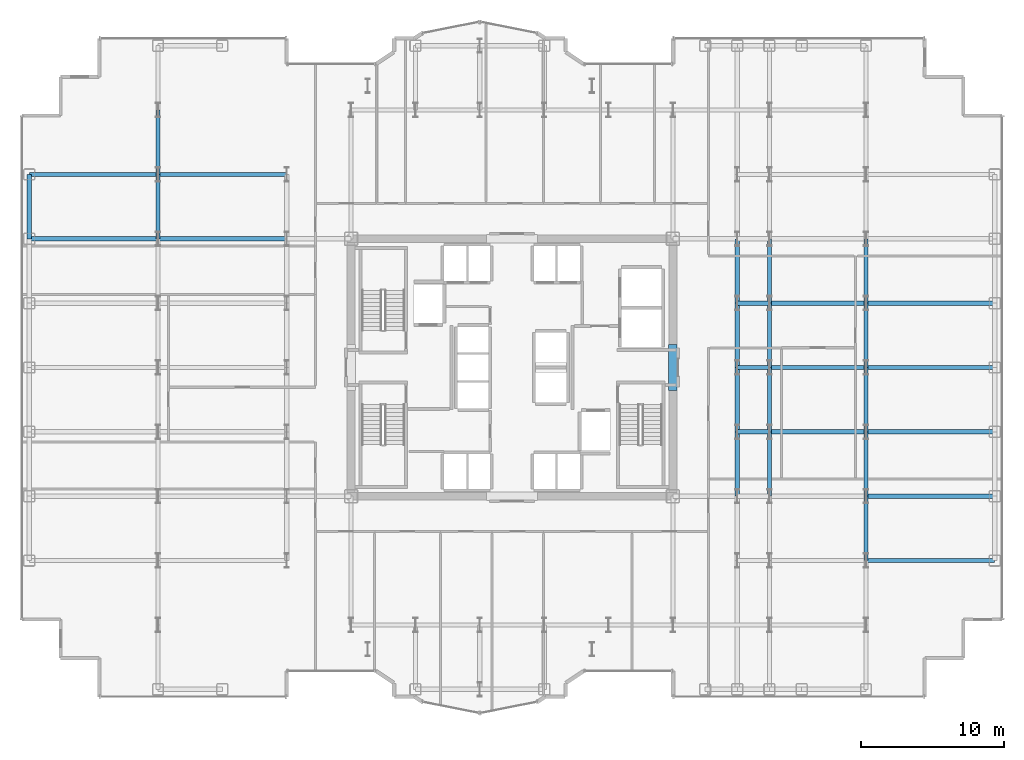
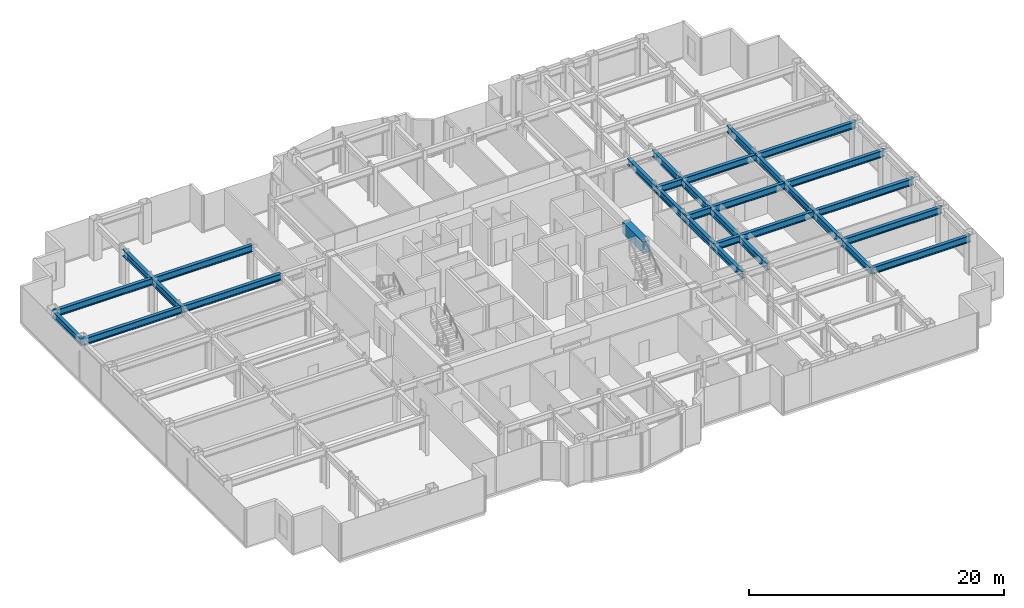
# One storey, part 8 of 26: 32 beams.
"""IFC4 building model written with IfcOpenShell, lengths in metres."""

from ifc_helpers import new_model, si_unit, direction, frame, origin, origin_2d, place, context, subcontext, project, spatial, rectangle, i_section, extrude, source, transform, mapped, material, material_profile, profile_set, type_object, element, save


model = new_model("IFC4")

# Units and contexts
model_context = context("Model", 3, precision=1e-05, world=origin(), true_north=direction((0.0, 1.0)))
body_context = subcontext(model_context, "Body", "Model", "MODEL_VIEW")
ifc_project = project(units=[si_unit("LENGTHUNIT", "METRE"), si_unit("AREAUNIT", "SQUARE_METRE"), si_unit("VOLUMEUNIT", "CUBIC_METRE"), si_unit("PLANEANGLEUNIT", "RADIAN"), si_unit("MASSUNIT", "GRAM", prefix="KILO")], contexts=[model_context])

# Site, building, storey
site_placement = place(None, origin())
site = spatial("IfcSite", under=ifc_project, at=site_placement, CompositionType="ELEMENT")
building_placement = place(site_placement, origin())
building = spatial("IfcBuilding", under=site, at=building_placement, Name="Nefas-Gora Pilgrimage Tower", CompositionType="ELEMENT")
storey_placement = place(building_placement, frame((0.0, 0.0, 117.39990234375)))
storey = spatial("IfcBuildingStorey", under=building, at=storey_placement, Name="L28", CompositionType="ELEMENT", Elevation=117.39990234375)

# Beams
ifc_material_1 = material(Name="Concrete C60/75", Category="concrete")
ifc_material_profile_1 = material_profile(ifc_material_1, rectangle(XDim=0.60009765625, YDim=1.10009765625, at=origin_2d()), Name="RC 600x1100")
ifc_profile_set_1 = profile_set([ifc_material_profile_1], Name="Concrete C60/75")
beam_type_1 = type_object("IfcBeamType", Name="BM-LIN-RC1100", PredefinedType="LINTEL", material=ifc_profile_set_1)
shared_shape_1 = source(origin(), body_context, "Body", "SweptSolid", [
    extrude(rectangle(XDim=0.60009765625, YDim=1.10009765625, at=origin_2d()), origin(), (0.0, 0.0, 1.0), 3.2001953125),
])
beam_1_placement = place(storey_placement, frame((11.25, -1.60009765625, 3.0), z_axis=(0.0, 1.0, 0.0), x_axis=(-1.0, 0.0, 0.0)))
element("IfcBeam", 1, at=beam_1_placement, inside=storey, type_object=beam_type_1, Name="L28 Core Coupling Lintel Beam E", PredefinedType="LINTEL", context=body_context, shape_type="MappedRepresentation", body=[
    mapped(shared_shape_1, transform((0.0, 0.0, 0.0), x_axis=(1.0, 0.0, 0.0), y_axis=(0.0, 1.0, 0.0), z_axis=(0.0, 0.0, 1.0), scale=1.0)),
])
ifc_material_2 = material(Name="Steel S355", Category="steel")
ifc_material_profile_2 = material_profile(ifc_material_2, i_section(OverallWidth=0.300048828125, OverallDepth=0.64990234375, WebThickness=0.01611328125, FlangeThickness=0.031005859375, FilletRadius=0.027099609375, at=origin_2d()), Name="HEB 650")
ifc_profile_set_2 = profile_set([ifc_material_profile_2], Name="Steel S355")
beam_type_2 = type_object("IfcBeamType", Name="BM-SPN-HEB500", PredefinedType="SPANDREL", material=ifc_profile_set_2)
shared_shape_2 = source(origin(), body_context, "Body", "SweptSolid", [
    extrude(i_section(OverallWidth=0.300048828125, OverallDepth=0.64990234375, WebThickness=0.01611328125, FlangeThickness=0.031005859375, FilletRadius=0.027099609375, at=origin_2d()), origin(), (0.0, 0.0, 1.0), 4.5),
])
beam_2_placement = place(storey_placement, frame((-33.75, 9.0, 3.22509765625), z_axis=(0.0, 1.0, 0.0), x_axis=(-1.0, 0.0, 0.0)))
element("IfcBeam", 2, at=beam_2_placement, inside=storey, type_object=beam_type_2, Name="L28 SP-02 beam", PredefinedType="SPANDREL", context=body_context, shape_type="MappedRepresentation", body=[
    mapped(shared_shape_2, transform((0.0, 0.0, 0.0), x_axis=(1.0, 0.0, 0.0), y_axis=(0.0, 1.0, 0.0), z_axis=(0.0, 0.0, 1.0), scale=1.0)),
])
ifc_material_profile_3 = material_profile(ifc_material_2, i_section(OverallWidth=0.300048828125, OverallDepth=0.64990234375, WebThickness=0.01611328125, FlangeThickness=0.031005859375, FilletRadius=0.027099609375, at=origin_2d()), Name="HEB 650")
ifc_profile_set_3 = profile_set([ifc_material_profile_3], Name="Steel S355")
beam_type_3 = type_object("IfcBeamType", Name="BM-GIR-HEB650", PredefinedType="BEAM", material=ifc_profile_set_3)
shared_shape_3 = source(origin(), body_context, "Body", "SweptSolid", [
    extrude(i_section(OverallWidth=0.300048828125, OverallDepth=0.64990234375, WebThickness=0.01611328125, FlangeThickness=0.031005859375, FilletRadius=0.027099609375, at=origin_2d()), origin(), (0.0, 0.0, 1.0), 9.0),
])
for number, where, z_axis, x_axis, name in (
    (3, (-33.75, 9.0, 3.22509765625), (1.0, 0.0, 0.0), (0.0, 1.0, 0.0), "L28 G-03 beam"),
    (4, (-33.75, 13.5, 3.22509765625), (1.0, 0.0, 0.0), (0.0, 1.0, 0.0), "L28 G-03 beam"),
    (5, (-24.75, 9.0, 3.22509765625), (1.0, 0.0, 0.0), (0.0, 1.0, 0.0), "L28 G-03 beam"),
    (6, (-24.75, 13.5, 3.22509765625), (1.0, 0.0, 0.0), (0.0, 1.0, 0.0), "L28 G-03 beam"),
    (7, (24.75, -13.5, 3.22509765625), (1.0, 0.0, 0.0), (0.0, 1.0, 0.0), "L28 G-03 beam"),
    (8, (24.75, -9.0, 3.22509765625), (1.0, 0.0, 0.0), (0.0, 1.0, 0.0), "L28 G-03 beam"),
    (9, (24.75, -4.5, 3.22509765625), (1.0, 0.0, 0.0), (0.0, 1.0, 0.0), "L28 G-03 beam"),
    (10, (24.75, 0.0, 3.22509765625), (1.0, 0.0, 0.0), (0.0, 1.0, 0.0), "L28 G-03 beam"),
    (11, (24.75, 4.5, 3.22509765625), (1.0, 0.0, 0.0), (0.0, 1.0, 0.0), "L28 G-03 beam"),
):
    element("IfcBeam", number, at=place(storey_placement, frame(where, z_axis=z_axis, x_axis=x_axis)), inside=storey, type_object=beam_type_3, Name=name, PredefinedType="BEAM", context=body_context, shape_type="MappedRepresentation", body=[
        mapped(shared_shape_3, transform((0.0, 0.0, 0.0), x_axis=(1.0, 0.0, 0.0), y_axis=(0.0, 1.0, 0.0), z_axis=(0.0, 0.0, 1.0), scale=1.0)),
    ])
shared_shape_4 = source(origin(), body_context, "Body", "SweptSolid", [
    extrude(i_section(OverallWidth=0.300048828125, OverallDepth=0.64990234375, WebThickness=0.01611328125, FlangeThickness=0.031005859375, FilletRadius=0.027099609375, at=origin_2d()), origin(), (0.0, 0.0, 1.0), 4.5),
])
for number, where, z_axis, x_axis, name in (
    (12, (-24.75, 9.0, 3.22509765625), (0.0, 1.0, 0.0), (-1.0, 0.0, 0.0), "L28 G-03 beam"),
    (13, (-24.75, 13.5, 3.22509765625), (0.0, 1.0, 0.0), (-1.0, 0.0, 0.0), "L28 G-03 beam"),
    (14, (15.75, -9.0, 3.22509765625), (0.0, 1.0, 0.0), (-1.0, 0.0, 0.0), "L28 G-03 beam"),
    (15, (15.75, -4.5, 3.22509765625), (0.0, 1.0, 0.0), (-1.0, 0.0, 0.0), "L28 G-03 beam"),
    (16, (15.75, 0.0, 3.22509765625), (0.0, 1.0, 0.0), (-1.0, 0.0, 0.0), "L28 G-03 beam"),
    (17, (15.75, 4.5, 3.22509765625), (0.0, 1.0, 0.0), (-1.0, 0.0, 0.0), "L28 G-03 beam"),
    (18, (18.0, -9.0, 3.22509765625), (0.0, 1.0, 0.0), (-1.0, 0.0, 0.0), "L28 G-03 beam"),
    (19, (18.0, -4.5, 3.22509765625), (0.0, 1.0, 0.0), (-1.0, 0.0, 0.0), "L28 G-03 beam"),
    (20, (18.0, 0.0, 3.22509765625), (0.0, 1.0, 0.0), (-1.0, 0.0, 0.0), "L28 G-03 beam"),
    (21, (18.0, 4.5, 3.22509765625), (0.0, 1.0, 0.0), (-1.0, 0.0, 0.0), "L28 G-03 beam"),
    (22, (24.75, -13.5, 3.22509765625), (0.0, 1.0, 0.0), (-1.0, 0.0, 0.0), "L28 G-03 beam"),
    (23, (24.75, -9.0, 3.22509765625), (0.0, 1.0, 0.0), (-1.0, 0.0, 0.0), "L28 G-03 beam"),
    (24, (24.75, -4.5, 3.22509765625), (0.0, 1.0, 0.0), (-1.0, 0.0, 0.0), "L28 G-03 beam"),
    (25, (24.75, 0.0, 3.22509765625), (0.0, 1.0, 0.0), (-1.0, 0.0, 0.0), "L28 G-03 beam"),
    (26, (24.75, 4.5, 3.22509765625), (0.0, 1.0, 0.0), (-1.0, 0.0, 0.0), "L28 G-03 beam"),
):
    element("IfcBeam", number, at=place(storey_placement, frame(where, z_axis=z_axis, x_axis=x_axis)), inside=storey, type_object=beam_type_3, Name=name, PredefinedType="BEAM", context=body_context, shape_type="MappedRepresentation", body=[
        mapped(shared_shape_4, transform((0.0, 0.0, 0.0), x_axis=(1.0, 0.0, 0.0), y_axis=(0.0, 1.0, 0.0), z_axis=(0.0, 0.0, 1.0), scale=1.0)),
    ])
shared_shape_5 = source(origin(), body_context, "Body", "SweptSolid", [
    extrude(i_section(OverallWidth=0.300048828125, OverallDepth=0.64990234375, WebThickness=0.01611328125, FlangeThickness=0.031005859375, FilletRadius=0.027099609375, at=origin_2d()), origin(), (0.0, 0.0, 1.0), 6.75),
])
for number, where, z_axis, x_axis, name in (
    (27, (18.0, -4.5, 3.22509765625), (1.0, 0.0, 0.0), (0.0, 1.0, 0.0), "L28 G-03 beam"),
    (28, (18.0, 0.0, 3.22509765625), (1.0, 0.0, 0.0), (0.0, 1.0, 0.0), "L28 G-03 beam"),
    (29, (18.0, 4.5, 3.22509765625), (1.0, 0.0, 0.0), (0.0, 1.0, 0.0), "L28 G-03 beam"),
):
    element("IfcBeam", number, at=place(storey_placement, frame(where, z_axis=z_axis, x_axis=x_axis)), inside=storey, type_object=beam_type_3, Name=name, PredefinedType="BEAM", context=body_context, shape_type="MappedRepresentation", body=[
        mapped(shared_shape_5, transform((0.0, 0.0, 0.0), x_axis=(1.0, 0.0, 0.0), y_axis=(0.0, 1.0, 0.0), z_axis=(0.0, 0.0, 1.0), scale=1.0)),
    ])
shared_shape_6 = source(origin(), body_context, "Body", "SweptSolid", [
    extrude(i_section(OverallWidth=0.300048828125, OverallDepth=0.64990234375, WebThickness=0.01611328125, FlangeThickness=0.031005859375, FilletRadius=0.027099609375, at=origin_2d()), origin(), (0.0, 0.0, 1.0), 2.25),
])
for number, where, z_axis, x_axis, name in (
    (30, (15.75, -4.5, 3.22509765625), (1.0, 0.0, 0.0), (0.0, 1.0, 0.0), "L28 G-03 beam"),
    (31, (15.75, 0.0, 3.22509765625), (1.0, 0.0, 0.0), (0.0, 1.0, 0.0), "L28 G-03 beam"),
    (32, (15.75, 4.5, 3.22509765625), (1.0, 0.0, 0.0), (0.0, 1.0, 0.0), "L28 G-03 beam"),
):
    element("IfcBeam", number, at=place(storey_placement, frame(where, z_axis=z_axis, x_axis=x_axis)), inside=storey, type_object=beam_type_3, Name=name, PredefinedType="BEAM", context=body_context, shape_type="MappedRepresentation", body=[
        mapped(shared_shape_6, transform((0.0, 0.0, 0.0), x_axis=(1.0, 0.0, 0.0), y_axis=(0.0, 1.0, 0.0), z_axis=(0.0, 0.0, 1.0), scale=1.0)),
    ])

save(model, "model.ifc")
